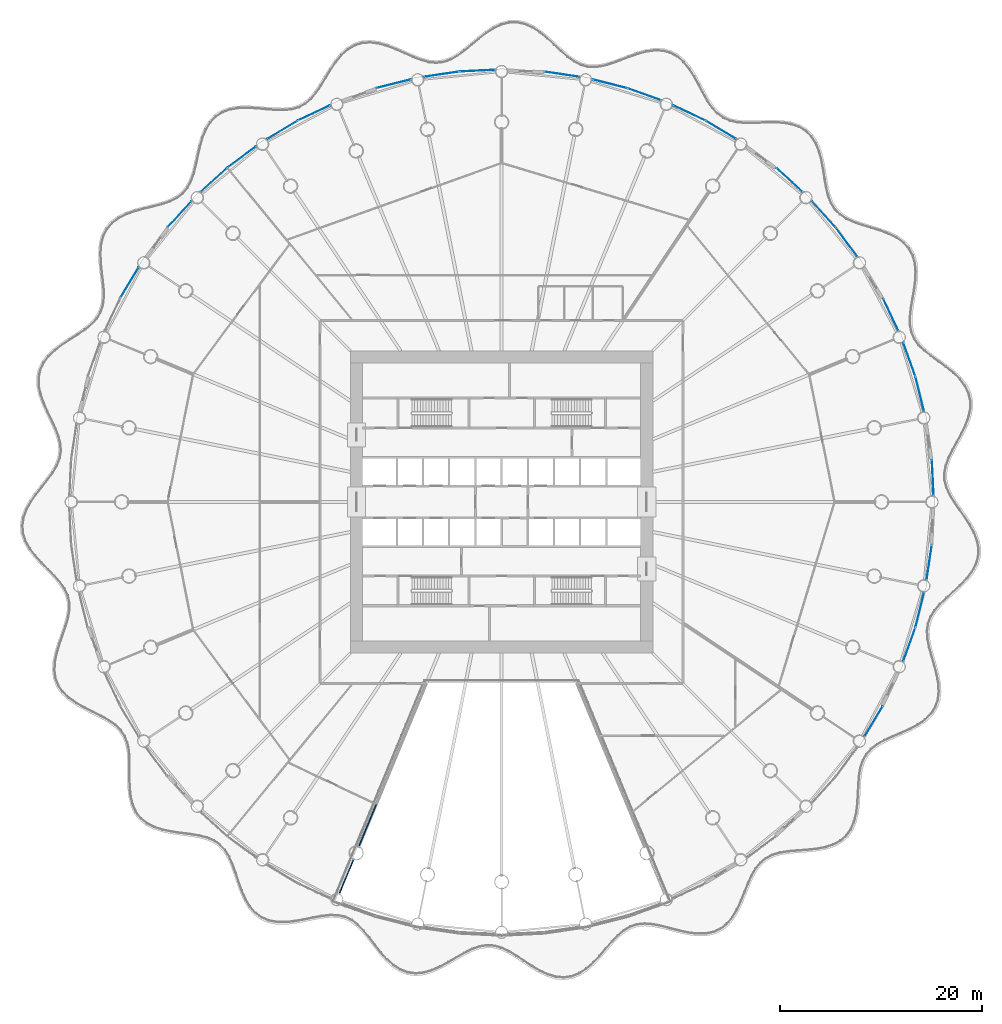
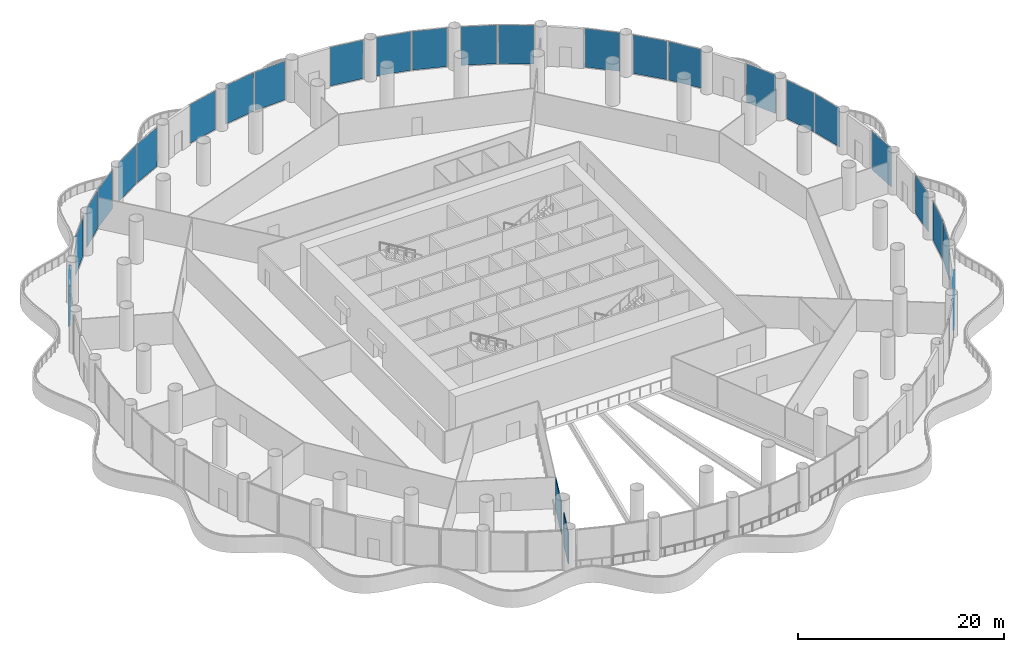
# One storey, part 22 of 36: 25 plates, 2 walls, 25 elements without a shape of their own.
"""IFC4 building model written with IfcOpenShell, lengths in metres."""

from ifc_helpers import new_model, si_unit, direction, frame, frame_2d, origin, origin_2d, place, context, subcontext, project, spatial, rectangle, extrude, material, layer, layer_set, type_object, element, aggregate, save


model = new_model("IFC4")

# Units and contexts
model_context = context("Model", 3, precision=1e-05, world=origin(), true_north=direction((0.0, 1.0)))
body_context = subcontext(model_context, "Body", "Model", "MODEL_VIEW")
ifc_project = project(units=[si_unit("LENGTHUNIT", "METRE"), si_unit("AREAUNIT", "SQUARE_METRE"), si_unit("VOLUMEUNIT", "CUBIC_METRE"), si_unit("PLANEANGLEUNIT", "RADIAN"), si_unit("MASSUNIT", "GRAM", prefix="KILO")], contexts=[model_context])

# Site, building, storey
site_placement = place(None, origin())
site = spatial("IfcSite", under=ifc_project, at=site_placement, CompositionType="ELEMENT")
building_placement = place(site_placement, origin())
building = spatial("IfcBuilding", under=site, at=building_placement, Name="Corvane Civic Tower", CompositionType="ELEMENT")
storey_placement = place(building_placement, frame((0.0, 0.0, 17.0)))
storey = spatial("IfcBuildingStorey", under=building, at=storey_placement, Name="L03", CompositionType="ELEMENT", Elevation=17.0)

# Curtain wall, plate
ifc_material_1 = material(Name="Aluminium and glass", Category="aluminium")
curtain_wall_type = type_object("IfcCurtainWallType", Name="PODIUM-CW-P-RUN", PredefinedType="NOTDEFINED", material=ifc_material_1)
curtain_wall_1_placement = place(storey_placement, origin())
curtain_wall_1 = element("IfcCurtainWall", 1, at=curtain_wall_1_placement, inside=storey, type_object=curtain_wall_type, Name="PODI run L03-drum-01B", PredefinedType="NOTDEFINED")
ifc_material_2 = material(Name="Glass tinted low-e laminated", Category="glass")
ifc_layer_1 = layer(ifc_material_2, 0.031982421875)
ifc_layer_set_1 = layer_set([ifc_layer_1], Name="Glass tinted low-e laminated")
plate_type = type_object("IfcPlateType", Name="PODIUM-CWP-PANEL-IGU32", PredefinedType="CURTAIN_PANEL", material=ifc_layer_set_1)
plate_1_placement = place(storey_placement, frame((5.991943359375, 42.4384765625, 0.06005859375), z_axis=(0.0, 0.0, 1.0), x_axis=(0.989178850608, -0.146714694252, 0.0)))
plate_1 = element("IfcPlate", 2, at=plate_1_placement, type_object=plate_type, Name="CW-P panel 1.1", PredefinedType="CURTAIN_PANEL", context=body_context, shape_type="SweptSolid", body=[
    extrude(rectangle(XDim=3.459716796875, YDim=0.031982421875, at=origin_2d()), origin(), (0.0, 0.0, 1.0), 4.580078125),
])
aggregate(curtain_wall_1, [plate_1])

curtain_wall_2_placement = place(storey_placement, origin())
curtain_wall_2 = element("IfcCurtainWall", 3, at=curtain_wall_2_placement, inside=storey, type_object=curtain_wall_type, Name="PODI run L03-drum-02A", PredefinedType="NOTDEFINED")
plate_2_placement = place(storey_placement, frame((10.70458984375, 41.5009765625, 0.06005859375), z_axis=(0.0, 0.0, 1.0), x_axis=(0.970024070659, -0.243008852393, 0.0)))
plate_2 = element("IfcPlate", 4, at=plate_2_placement, type_object=plate_type, Name="CW-P panel 1.1", PredefinedType="CURTAIN_PANEL", context=body_context, shape_type="SweptSolid", body=[
    extrude(rectangle(XDim=3.459716796875, YDim=0.031982421875, at=origin_2d()), origin(), (0.0, 0.0, 1.0), 4.580078125),
])
aggregate(curtain_wall_2, [plate_2])

curtain_wall_3_placement = place(storey_placement, origin())
curtain_wall_3 = element("IfcCurtainWall", 5, at=curtain_wall_3_placement, inside=storey, type_object=curtain_wall_type, Name="PODI run L03-drum-02B", PredefinedType="NOTDEFINED")
plate_3_placement = place(storey_placement, frame((14.156005859375, 40.453857421875, 0.06005859375), z_axis=(0.0, 0.0, 1.0), x_axis=(0.941533802561, -0.336918534123, 0.0)))
plate_3 = element("IfcPlate", 6, at=plate_3_placement, type_object=plate_type, Name="CW-P panel 1.1", PredefinedType="CURTAIN_PANEL", context=body_context, shape_type="SweptSolid", body=[
    extrude(rectangle(XDim=3.459716796875, YDim=0.031982421875, at=origin_2d()), origin(), (0.0, 0.0, 1.0), 4.580078125),
])
aggregate(curtain_wall_3, [plate_3])

curtain_wall_4_placement = place(storey_placement, origin())
curtain_wall_4 = element("IfcCurtainWall", 7, at=curtain_wall_4_placement, inside=storey, type_object=curtain_wall_type, Name="PODI run L03-drum-03A", PredefinedType="NOTDEFINED")
plate_4_placement = place(storey_placement, frame((18.595458984375, 38.614990234375, 0.06005859375), z_axis=(0.0, 0.0, 1.0), x_axis=(0.903990222454, -0.42755312852, 0.0)))
plate_4 = element("IfcPlate", 8, at=plate_4_placement, type_object=plate_type, Name="CW-P panel 1.1", PredefinedType="CURTAIN_PANEL", context=body_context, shape_type="SweptSolid", body=[
    extrude(rectangle(XDim=3.4599609375, YDim=0.031982421875, at=origin_2d()), origin(), (0.0, 0.0, 1.0), 4.580078125),
])
aggregate(curtain_wall_4, [plate_4])

curtain_wall_5_placement = place(storey_placement, origin())
curtain_wall_5 = element("IfcCurtainWall", 9, at=curtain_wall_5_placement, inside=storey, type_object=curtain_wall_type, Name="PODI run L03-drum-03B", PredefinedType="NOTDEFINED")
plate_5_placement = place(storey_placement, frame((21.776123046875, 36.914794921875, 0.06005859375), z_axis=(0.0, 0.0, 1.0), x_axis=(0.857719609779, -0.514117759857, 0.0)))
plate_5 = element("IfcPlate", 10, at=plate_5_placement, type_object=plate_type, Name="CW-P panel 1.1", PredefinedType="CURTAIN_PANEL", context=body_context, shape_type="SweptSolid", body=[
    extrude(rectangle(XDim=3.459716796875, YDim=0.031982421875, at=origin_2d()), origin(), (0.0, 0.0, 1.0), 4.580078125),
])
aggregate(curtain_wall_5, [plate_5])

curtain_wall_6_placement = place(storey_placement, origin())
curtain_wall_6 = element("IfcCurtainWall", 11, at=curtain_wall_6_placement, inside=storey, type_object=curtain_wall_type, Name="PODI run L03-drum-04B", PredefinedType="NOTDEFINED")
plate_6_placement = place(storey_placement, frame((28.5595703125, 31.957275390625, 0.06005859375), z_axis=(0.0, 0.0, 1.0), x_axis=(0.740935261089, -0.671576457952, 0.0)))
plate_6 = element("IfcPlate", 12, at=plate_6_placement, type_object=plate_type, Name="CW-P panel 1.1", PredefinedType="CURTAIN_PANEL", context=body_context, shape_type="SweptSolid", body=[
    extrude(rectangle(XDim=3.4599609375, YDim=0.031982421875, at=origin_2d()), origin(), (0.0, 0.0, 1.0), 4.580078125),
])
aggregate(curtain_wall_6, [plate_6])

curtain_wall_7_placement = place(storey_placement, origin())
curtain_wall_7 = element("IfcCurtainWall", 13, at=curtain_wall_7_placement, inside=storey, type_object=curtain_wall_type, Name="PODI run L03-drum-05A", PredefinedType="NOTDEFINED")
plate_7_placement = place(storey_placement, frame((31.957275390625, 28.5595703125, 0.06005859375), z_axis=(0.0, 0.0, 1.0), x_axis=(0.671576457952, -0.740935261089, 0.0)))
plate_7 = element("IfcPlate", 14, at=plate_7_placement, type_object=plate_type, Name="CW-P panel 1.1", PredefinedType="CURTAIN_PANEL", context=body_context, shape_type="SweptSolid", body=[
    extrude(rectangle(XDim=3.4599609375, YDim=0.031982421875, at=origin_2d()), origin(), (0.0, 0.0, 1.0), 4.580078125),
])
aggregate(curtain_wall_7, [plate_7])

curtain_wall_8_placement = place(storey_placement, origin())
curtain_wall_8 = element("IfcCurtainWall", 15, at=curtain_wall_8_placement, inside=storey, type_object=curtain_wall_type, Name="PODI run L03-drum-05B", PredefinedType="NOTDEFINED")
plate_8_placement = place(storey_placement, frame((34.245361328125, 25.771484375, 0.06005859375), z_axis=(0.0, 0.0, 1.0), x_axis=(0.595705104665, -0.803203229747, 0.0)))
plate_8 = element("IfcPlate", 16, at=plate_8_placement, type_object=plate_type, Name="CW-P panel 1.1", PredefinedType="CURTAIN_PANEL", context=body_context, shape_type="SweptSolid", body=[
    extrude(rectangle(XDim=3.459716796875, YDim=0.031982421875, at=origin_2d()), origin(), (0.0, 0.0, 1.0), 4.580078125),
])
aggregate(curtain_wall_8, [plate_8])

curtain_wall_9_placement = place(storey_placement, origin())
curtain_wall_9 = element("IfcCurtainWall", 17, at=curtain_wall_9_placement, inside=storey, type_object=curtain_wall_type, Name="PODI run L03-drum-06B", PredefinedType="NOTDEFINED")
plate_9_placement = place(storey_placement, frame((38.614990234375, 18.595458984375, 0.06005859375), z_axis=(0.0, 0.0, 1.0), x_axis=(0.42755312852, -0.903990222454, 0.0)))
plate_9 = element("IfcPlate", 18, at=plate_9_placement, type_object=plate_type, Name="CW-P panel 1.1", PredefinedType="CURTAIN_PANEL", context=body_context, shape_type="SweptSolid", body=[
    extrude(rectangle(XDim=3.4599609375, YDim=0.031982421875, at=origin_2d()), origin(), (0.0, 0.0, 1.0), 4.580078125),
])
aggregate(curtain_wall_9, [plate_9])

curtain_wall_10_placement = place(storey_placement, origin())
curtain_wall_10 = element("IfcCurtainWall", 19, at=curtain_wall_10_placement, inside=storey, type_object=curtain_wall_type, Name="PODI run L03-drum-07A", PredefinedType="NOTDEFINED")
plate_10_placement = place(storey_placement, frame((40.453857421875, 14.156005859375, 0.06005859375), z_axis=(0.0, 0.0, 1.0), x_axis=(0.336918534123, -0.941533802561, 0.0)))
plate_10 = element("IfcPlate", 20, at=plate_10_placement, type_object=plate_type, Name="CW-P panel 1.1", PredefinedType="CURTAIN_PANEL", context=body_context, shape_type="SweptSolid", body=[
    extrude(rectangle(XDim=3.459716796875, YDim=0.031982421875, at=origin_2d()), origin(), (0.0, 0.0, 1.0), 4.580078125),
])
aggregate(curtain_wall_10, [plate_10])

curtain_wall_11_placement = place(storey_placement, origin())
curtain_wall_11 = element("IfcCurtainWall", 21, at=curtain_wall_11_placement, inside=storey, type_object=curtain_wall_type, Name="PODI run L03-drum-07B", PredefinedType="NOTDEFINED")
plate_11_placement = place(storey_placement, frame((41.5009765625, 10.70458984375, 0.06005859375), z_axis=(0.0, 0.0, 1.0), x_axis=(0.243008852393, -0.970024070659, 0.0)))
plate_11 = element("IfcPlate", 22, at=plate_11_placement, type_object=plate_type, Name="CW-P panel 1.1", PredefinedType="CURTAIN_PANEL", context=body_context, shape_type="SweptSolid", body=[
    extrude(rectangle(XDim=3.459716796875, YDim=0.031982421875, at=origin_2d()), origin(), (0.0, 0.0, 1.0), 4.580078125),
])
aggregate(curtain_wall_11, [plate_11])

curtain_wall_12_placement = place(storey_placement, origin())
curtain_wall_12 = element("IfcCurtainWall", 23, at=curtain_wall_12_placement, inside=storey, type_object=curtain_wall_type, Name="PODI run L03-drum-08B", PredefinedType="NOTDEFINED")
plate_12_placement = place(storey_placement, frame((42.7919921875, 2.402587890625, 0.06005859375), z_axis=(0.0, 0.0, 1.0), x_axis=(0.04905015332, -0.998796316803, 0.0)))
plate_12 = element("IfcPlate", 24, at=plate_12_placement, type_object=plate_type, Name="CW-P panel 1.1", PredefinedType="CURTAIN_PANEL", context=body_context, shape_type="SweptSolid", body=[
    extrude(rectangle(XDim=3.4599609375, YDim=0.031982421875, at=origin_2d()), origin(), (0.0, 0.0, 1.0), 4.580078125),
])
aggregate(curtain_wall_12, [plate_12])

curtain_wall_13_placement = place(storey_placement, origin())
curtain_wall_13 = element("IfcCurtainWall", 25, at=curtain_wall_13_placement, inside=storey, type_object=curtain_wall_type, Name="PODI run L03-drum-09B", PredefinedType="NOTDEFINED")
plate_13_placement = place(storey_placement, frame((42.4384765625, -5.991943359375, 0.06005859375), z_axis=(0.0, 0.0, 1.0), x_axis=(-0.146714694252, -0.989178850608, 0.0)))
plate_13 = element("IfcPlate", 26, at=plate_13_placement, type_object=plate_type, Name="CW-P panel 1.1", PredefinedType="CURTAIN_PANEL", context=body_context, shape_type="SweptSolid", body=[
    extrude(rectangle(XDim=3.459716796875, YDim=0.031982421875, at=origin_2d()), origin(), (0.0, 0.0, 1.0), 4.580078125),
])
aggregate(curtain_wall_13, [plate_13])

curtain_wall_14_placement = place(storey_placement, origin())
curtain_wall_14 = element("IfcCurtainWall", 27, at=curtain_wall_14_placement, inside=storey, type_object=curtain_wall_type, Name="PODI run L03-drum-10A", PredefinedType="NOTDEFINED")
plate_14_placement = place(storey_placement, frame((41.5009765625, -10.70458984375, 0.06005859375), z_axis=(0.0, 0.0, 1.0), x_axis=(-0.243008852393, -0.970024070659, 0.0)))
plate_14 = element("IfcPlate", 28, at=plate_14_placement, type_object=plate_type, Name="CW-P panel 1.1", PredefinedType="CURTAIN_PANEL", context=body_context, shape_type="SweptSolid", body=[
    extrude(rectangle(XDim=3.459716796875, YDim=0.031982421875, at=origin_2d()), origin(), (0.0, 0.0, 1.0), 4.580078125),
])
aggregate(curtain_wall_14, [plate_14])

curtain_wall_15_placement = place(storey_placement, origin())
curtain_wall_15 = element("IfcCurtainWall", 29, at=curtain_wall_15_placement, inside=storey, type_object=curtain_wall_type, Name="PODI run L03-drum-10B", PredefinedType="NOTDEFINED")
plate_15_placement = place(storey_placement, frame((40.453857421875, -14.156005859375, 0.06005859375), z_axis=(0.0, 0.0, 1.0), x_axis=(-0.336918534123, -0.941533802561, 0.0)))
plate_15 = element("IfcPlate", 30, at=plate_15_placement, type_object=plate_type, Name="CW-P panel 1.1", PredefinedType="CURTAIN_PANEL", context=body_context, shape_type="SweptSolid", body=[
    extrude(rectangle(XDim=3.459716796875, YDim=0.031982421875, at=origin_2d()), origin(), (0.0, 0.0, 1.0), 4.580078125),
])
aggregate(curtain_wall_15, [plate_15])

curtain_wall_16_placement = place(storey_placement, origin())
curtain_wall_16 = element("IfcCurtainWall", 31, at=curtain_wall_16_placement, inside=storey, type_object=curtain_wall_type, Name="PODI run L03-drum-11B", PredefinedType="NOTDEFINED")
plate_16_placement = place(storey_placement, frame((36.914794921875, -21.776123046875, 0.06005859375), z_axis=(0.0, 0.0, 1.0), x_axis=(-0.514117759857, -0.857719609779, 0.0)))
plate_16 = element("IfcPlate", 32, at=plate_16_placement, type_object=plate_type, Name="CW-P panel 1.1", PredefinedType="CURTAIN_PANEL", context=body_context, shape_type="SweptSolid", body=[
    extrude(rectangle(XDim=3.459716796875, YDim=0.031982421875, at=origin_2d()), origin(), (0.0, 0.0, 1.0), 4.580078125),
])
aggregate(curtain_wall_16, [plate_16])

curtain_wall_17_placement = place(storey_placement, origin())
curtain_wall_17 = element("IfcCurtainWall", 33, at=curtain_wall_17_placement, inside=storey, type_object=curtain_wall_type, Name="PODI run L03-drum-27B", PredefinedType="NOTDEFINED")
plate_17_placement = place(storey_placement, frame((-36.914794921875, 21.776123046875, 0.06005859375), z_axis=(0.0, 0.0, 1.0), x_axis=(0.514117759857, 0.857719609779, 0.0)))
plate_17 = element("IfcPlate", 34, at=plate_17_placement, type_object=plate_type, Name="CW-P panel 1.1", PredefinedType="CURTAIN_PANEL", context=body_context, shape_type="SweptSolid", body=[
    extrude(rectangle(XDim=3.459716796875, YDim=0.031982421875, at=origin_2d()), origin(), (0.0, 0.0, 1.0), 4.580078125),
])
aggregate(curtain_wall_17, [plate_17])

curtain_wall_18_placement = place(storey_placement, origin())
curtain_wall_18 = element("IfcCurtainWall", 35, at=curtain_wall_18_placement, inside=storey, type_object=curtain_wall_type, Name="PODI run L03-drum-28B", PredefinedType="NOTDEFINED")
plate_18_placement = place(storey_placement, frame((-31.957275390625, 28.5595703125, 0.06005859375), z_axis=(0.0, 0.0, 1.0), x_axis=(0.671576457952, 0.740935261089, 0.0)))
plate_18 = element("IfcPlate", 36, at=plate_18_placement, type_object=plate_type, Name="CW-P panel 1.1", PredefinedType="CURTAIN_PANEL", context=body_context, shape_type="SweptSolid", body=[
    extrude(rectangle(XDim=3.4599609375, YDim=0.031982421875, at=origin_2d()), origin(), (0.0, 0.0, 1.0), 4.580078125),
])
aggregate(curtain_wall_18, [plate_18])

curtain_wall_19_placement = place(storey_placement, origin())
curtain_wall_19 = element("IfcCurtainWall", 37, at=curtain_wall_19_placement, inside=storey, type_object=curtain_wall_type, Name="PODI run L03-drum-29A", PredefinedType="NOTDEFINED")
plate_19_placement = place(storey_placement, frame((-28.5595703125, 31.957275390625, 0.06005859375), z_axis=(0.0, 0.0, 1.0), x_axis=(0.740935261089, 0.671576457952, 0.0)))
plate_19 = element("IfcPlate", 38, at=plate_19_placement, type_object=plate_type, Name="CW-P panel 1.1", PredefinedType="CURTAIN_PANEL", context=body_context, shape_type="SweptSolid", body=[
    extrude(rectangle(XDim=3.4599609375, YDim=0.031982421875, at=origin_2d()), origin(), (0.0, 0.0, 1.0), 4.580078125),
])
aggregate(curtain_wall_19, [plate_19])

curtain_wall_20_placement = place(storey_placement, origin())
curtain_wall_20 = element("IfcCurtainWall", 39, at=curtain_wall_20_placement, inside=storey, type_object=curtain_wall_type, Name="PODI run L03-drum-29B", PredefinedType="NOTDEFINED")
plate_20_placement = place(storey_placement, frame((-25.771484375, 34.245361328125, 0.06005859375), z_axis=(0.0, 0.0, 1.0), x_axis=(0.803203229747, 0.595705104665, 0.0)))
plate_20 = element("IfcPlate", 40, at=plate_20_placement, type_object=plate_type, Name="CW-P panel 1.1", PredefinedType="CURTAIN_PANEL", context=body_context, shape_type="SweptSolid", body=[
    extrude(rectangle(XDim=3.459716796875, YDim=0.031982421875, at=origin_2d()), origin(), (0.0, 0.0, 1.0), 4.580078125),
])
aggregate(curtain_wall_20, [plate_20])

curtain_wall_21_placement = place(storey_placement, origin())
curtain_wall_21 = element("IfcCurtainWall", 41, at=curtain_wall_21_placement, inside=storey, type_object=curtain_wall_type, Name="PODI run L03-drum-30A", PredefinedType="NOTDEFINED")
plate_21_placement = place(storey_placement, frame((-21.776123046875, 36.914794921875, 0.06005859375), z_axis=(0.0, 0.0, 1.0), x_axis=(0.857719609779, 0.514117759857, 0.0)))
plate_21 = element("IfcPlate", 42, at=plate_21_placement, type_object=plate_type, Name="CW-P panel 1.1", PredefinedType="CURTAIN_PANEL", context=body_context, shape_type="SweptSolid", body=[
    extrude(rectangle(XDim=3.459716796875, YDim=0.031982421875, at=origin_2d()), origin(), (0.0, 0.0, 1.0), 4.580078125),
])
aggregate(curtain_wall_21, [plate_21])

curtain_wall_22_placement = place(storey_placement, origin())
curtain_wall_22 = element("IfcCurtainWall", 43, at=curtain_wall_22_placement, inside=storey, type_object=curtain_wall_type, Name="PODI run L03-drum-30B", PredefinedType="NOTDEFINED")
plate_22_placement = place(storey_placement, frame((-18.595458984375, 38.614990234375, 0.06005859375), z_axis=(0.0, 0.0, 1.0), x_axis=(0.903990222454, 0.42755312852, 0.0)))
plate_22 = element("IfcPlate", 44, at=plate_22_placement, type_object=plate_type, Name="CW-P panel 1.1", PredefinedType="CURTAIN_PANEL", context=body_context, shape_type="SweptSolid", body=[
    extrude(rectangle(XDim=3.4599609375, YDim=0.031982421875, at=origin_2d()), origin(), (0.0, 0.0, 1.0), 4.580078125),
])
aggregate(curtain_wall_22, [plate_22])

curtain_wall_23_placement = place(storey_placement, origin())
curtain_wall_23 = element("IfcCurtainWall", 45, at=curtain_wall_23_placement, inside=storey, type_object=curtain_wall_type, Name="PODI run L03-drum-31B", PredefinedType="NOTDEFINED")
plate_23_placement = place(storey_placement, frame((-10.70458984375, 41.5009765625, 0.06005859375), z_axis=(0.0, 0.0, 1.0), x_axis=(0.970024070659, 0.243008852393, 0.0)))
plate_23 = element("IfcPlate", 46, at=plate_23_placement, type_object=plate_type, Name="CW-P panel 1.1", PredefinedType="CURTAIN_PANEL", context=body_context, shape_type="SweptSolid", body=[
    extrude(rectangle(XDim=3.459716796875, YDim=0.031982421875, at=origin_2d()), origin(), (0.0, 0.0, 1.0), 4.580078125),
])
aggregate(curtain_wall_23, [plate_23])

curtain_wall_24_placement = place(storey_placement, origin())
curtain_wall_24 = element("IfcCurtainWall", 47, at=curtain_wall_24_placement, inside=storey, type_object=curtain_wall_type, Name="PODI run L03-drum-32A", PredefinedType="NOTDEFINED")
plate_24_placement = place(storey_placement, frame((-5.991943359375, 42.4384765625, 0.06005859375), z_axis=(0.0, 0.0, 1.0), x_axis=(0.989178850608, 0.146714694252, 0.0)))
plate_24 = element("IfcPlate", 48, at=plate_24_placement, type_object=plate_type, Name="CW-P panel 1.1", PredefinedType="CURTAIN_PANEL", context=body_context, shape_type="SweptSolid", body=[
    extrude(rectangle(XDim=3.459716796875, YDim=0.031982421875, at=origin_2d()), origin(), (0.0, 0.0, 1.0), 4.580078125),
])
aggregate(curtain_wall_24, [plate_24])

curtain_wall_25_placement = place(storey_placement, origin())
curtain_wall_25 = element("IfcCurtainWall", 49, at=curtain_wall_25_placement, inside=storey, type_object=curtain_wall_type, Name="PODI run L03-drum-32B", PredefinedType="NOTDEFINED")
plate_25_placement = place(storey_placement, frame((-2.402587890625, 42.7919921875, 0.06005859375), z_axis=(0.0, 0.0, 1.0), x_axis=(0.998796316803, 0.04905015332, 0.0)))
plate_25 = element("IfcPlate", 50, at=plate_25_placement, type_object=plate_type, Name="CW-P panel 1.1", PredefinedType="CURTAIN_PANEL", context=body_context, shape_type="SweptSolid", body=[
    extrude(rectangle(XDim=3.4599609375, YDim=0.031982421875, at=origin_2d()), origin(), (0.0, 0.0, 1.0), 4.580078125),
])
aggregate(curtain_wall_25, [plate_25])

# Walls
ifc_material_3 = material(Name="Plasterboard")
ifc_layer_2 = layer(ifc_material_3, 0.10009765625)
ifc_layer_set_2 = layer_set([ifc_layer_2], Name="Plasterboard")
wall_type = type_object("IfcWallType", Name="Partition 100 plasterboard on studs", PredefinedType="PARTITIONING", material=ifc_layer_set_2)
wall_1_placement = place(storey_placement, frame((-16.07275390625, -38.802978515625, 0.0), z_axis=(0.0, 0.0, 1.0), x_axis=(0.382668033682, 0.923885910704, 0.0)))
element("IfcWall", 51, at=wall_1_placement, inside=storey, type_object=wall_type, Name="Partition L03.049", PredefinedType="PARTITIONING", context=body_context, shape_type="SweptSolid", body=[
    extrude(rectangle(XDim=3.5, YDim=0.10009765625, at=frame_2d((1.75, 0.0))), origin(), (0.0, 0.0, 1.0), 3.699951171875),
])
wall_2_placement = place(storey_placement, frame((-14.12109375, -34.09130859375, 0.0), z_axis=(0.0, 0.0, 1.0), x_axis=(0.382684641161, 0.923879031811, 0.0)))
element("IfcWall", 52, at=wall_2_placement, inside=storey, type_object=wall_type, Name="Partition L03.050", PredefinedType="PARTITIONING", context=body_context, shape_type="SweptSolid", body=[
    extrude(rectangle(XDim=4.383544921875, YDim=0.10009765625, at=frame_2d((2.19189453125, 0.0))), origin(), (0.0, 0.0, 1.0), 3.699951171875),
])

save(model, "model.ifc")
